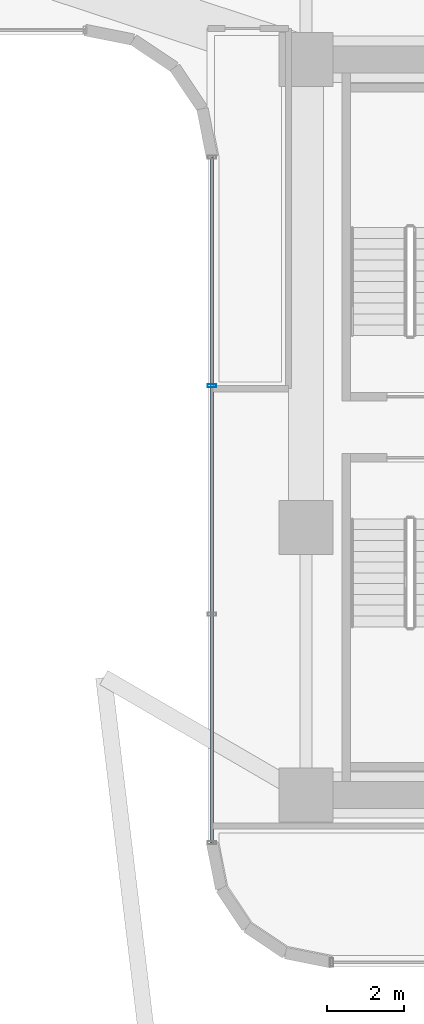
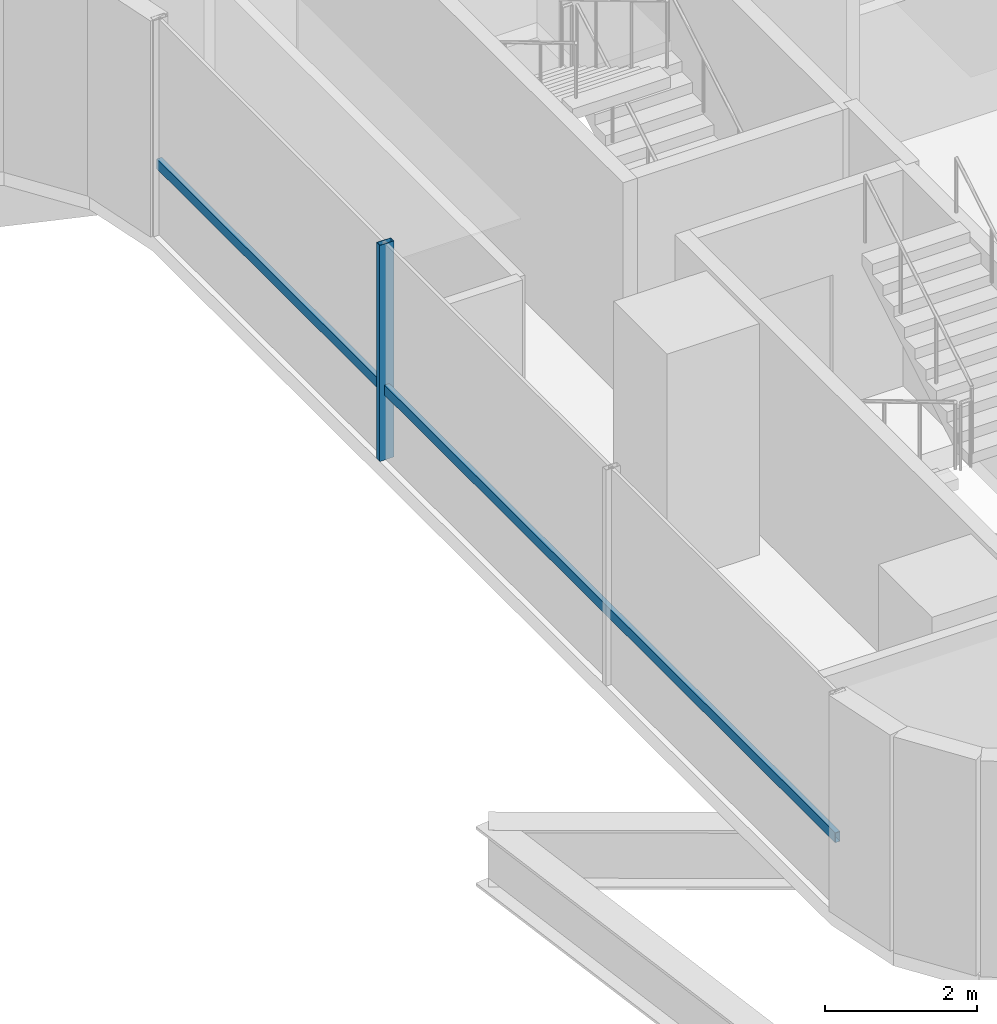
# One storey, part 17 of 50: 2 members, 1 element without a shape of its own.
"""IFC4 building model written with IfcOpenShell, lengths in metres."""

from ifc_helpers import new_model, si_unit, direction, frame, origin, origin_2d, place, context, subcontext, project, spatial, hollow_rectangle, extrude, source, transform, mapped, material, material_profile, profile_set, type_object, element, aggregate, save


model = new_model("IFC4")

# Units and contexts
model_context = context("Model", 3, precision=1e-05, world=origin(), true_north=direction((0.0, 1.0)))
body_context = subcontext(model_context, "Body", "Model", "MODEL_VIEW")
ifc_project = project(units=[si_unit("LENGTHUNIT", "METRE"), si_unit("AREAUNIT", "SQUARE_METRE"), si_unit("VOLUMEUNIT", "CUBIC_METRE"), si_unit("PLANEANGLEUNIT", "RADIAN"), si_unit("MASSUNIT", "GRAM", prefix="KILO")], contexts=[model_context])

# Site, building, storey
site_placement = place(None, origin())
site = spatial("IfcSite", under=ifc_project, at=site_placement, CompositionType="ELEMENT")
building_placement = place(site_placement, origin())
building = spatial("IfcBuilding", under=site, at=building_placement, Name="Valdorenza Pilgrim Sanctuary Tower", CompositionType="ELEMENT")
storey_placement = place(building_placement, frame((0.0, 0.0, 26.0)))
storey = spatial("IfcBuildingStorey", under=building, at=storey_placement, Name="L05", CompositionType="ELEMENT", Elevation=26.0)

# Curtain wall, members
ifc_material_1 = material(Name="Curtain-wall IGU glazing", Category="glass")
curtain_wall_type = type_object("IfcCurtainWallType", Name="CW-SYS-03", PredefinedType="NOTDEFINED", material=ifc_material_1)
curtain_wall_placement = place(storey_placement, origin())
curtain_wall = element("IfcCurtainWall", 1, at=curtain_wall_placement, inside=storey, type_object=curtain_wall_type, Name="L05 Curtain Wall CW-L05-1-31", PredefinedType="NOTDEFINED")
ifc_material_2 = material(Name="Anodised aluminium AW-6060", Category="aluminium")
ifc_material_profile_1 = material_profile(ifc_material_2, hollow_rectangle(XDim=0.0849609375, YDim=0.219970703125, WallThickness=0.0048828125, at=origin_2d()), Name="ALU-M 220x85x5")
ifc_profile_set_1 = profile_set([ifc_material_profile_1], Name="Anodised aluminium AW-6060")
member_type_1 = type_object("IfcMemberType", Name="CW-MUL-03", PredefinedType="MULLION", material=ifc_profile_set_1)
shared_shape_1 = source(origin(), body_context, "Body", "SweptSolid", [
    extrude(hollow_rectangle(XDim=0.0849609375, YDim=0.219970703125, WallThickness=0.0048828125, at=origin_2d()), origin(), (0.0, 0.0, 1.0), 3.4599609375),
])
member_1_placement = place(storey_placement, frame((13.409912109375, 1.077392578125, 0.0), z_axis=(0.0, 0.0, 1.0), x_axis=(0.0, 1.0, 0.0)))
member_1 = element("IfcMember", 2, at=member_1_placement, type_object=member_type_1, Name="CW-L05-1-31 Mullion 3", PredefinedType="MULLION", context=body_context, shape_type="MappedRepresentation", body=[
    mapped(shared_shape_1, transform((0.0, 0.0, 0.0), x_axis=(1.0, 0.0, 0.0), y_axis=(0.0, 1.0, 0.0), z_axis=(0.0, 0.0, 1.0), scale=1.0)),
])
ifc_material_profile_2 = material_profile(ifc_material_2, hollow_rectangle(XDim=0.074951171875, YDim=0.159912109375, WallThickness=0.00390625, at=origin_2d()), Name="ALU-T 160x75x4")
ifc_profile_set_2 = profile_set([ifc_material_profile_2], Name="Anodised aluminium AW-6060")
member_type_2 = type_object("IfcMemberType", Name="CW-TRN-03", PredefinedType="USERDEFINED", material=ifc_profile_set_2)
shared_shape_2 = source(origin(), body_context, "Body", "SweptSolid", [
    extrude(hollow_rectangle(XDim=0.074951171875, YDim=0.159912109375, WallThickness=0.00390625, at=origin_2d()), origin(), (0.0, 0.0, 1.0), 17.800048828125),
])
member_2_placement = place(storey_placement, frame((13.409912109375, -10.789306640625, 1.1201171875), z_axis=(0.0, 1.0, 0.0), x_axis=(-1.0, 0.0, 0.0)))
member_2 = element("IfcMember", 3, at=member_2_placement, type_object=member_type_2, Name="CW-L05-1-31 Transom 1", ObjectType="TRANSOM", PredefinedType="USERDEFINED", context=body_context, shape_type="MappedRepresentation", body=[
    mapped(shared_shape_2, transform((0.0, 0.0, 0.0), x_axis=(1.0, 0.0, 0.0), y_axis=(0.0, 1.0, 0.0), z_axis=(0.0, 0.0, 1.0), scale=1.0)),
])
aggregate(curtain_wall, [member_1, member_2])

save(model, "model.ifc")
